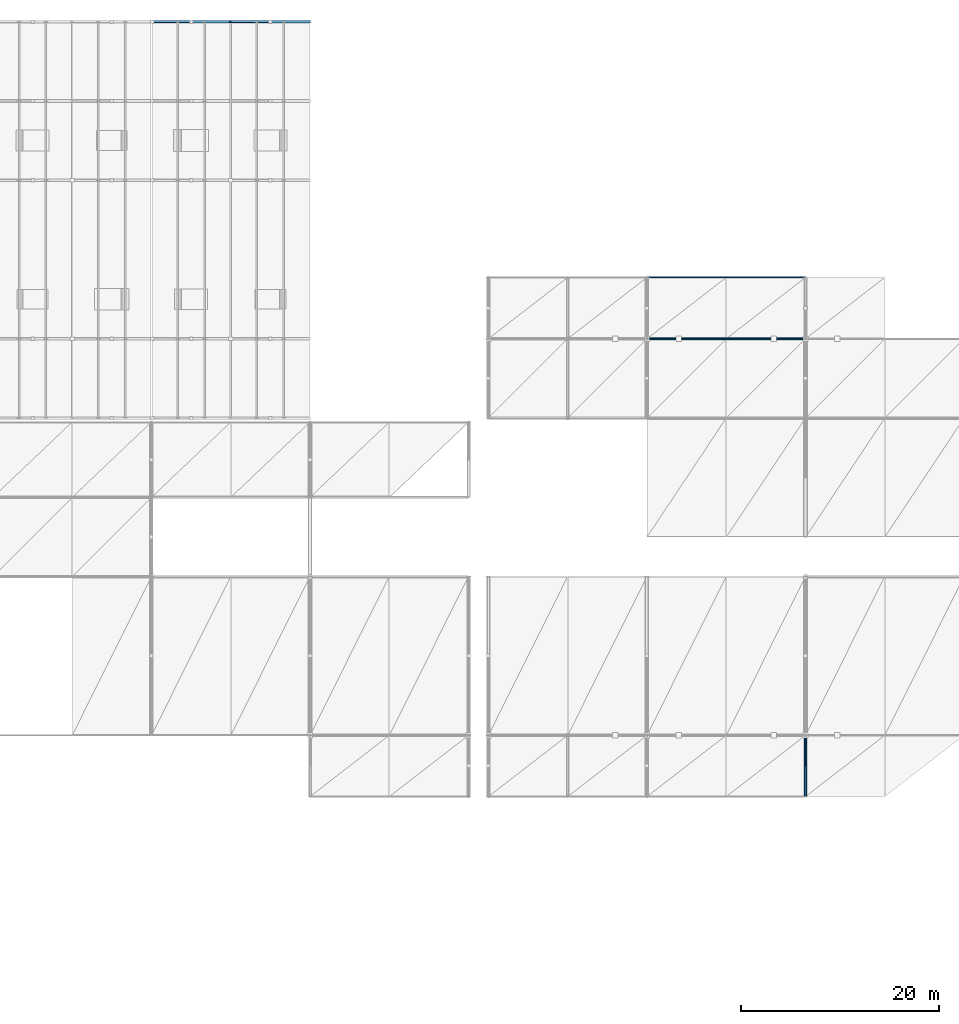
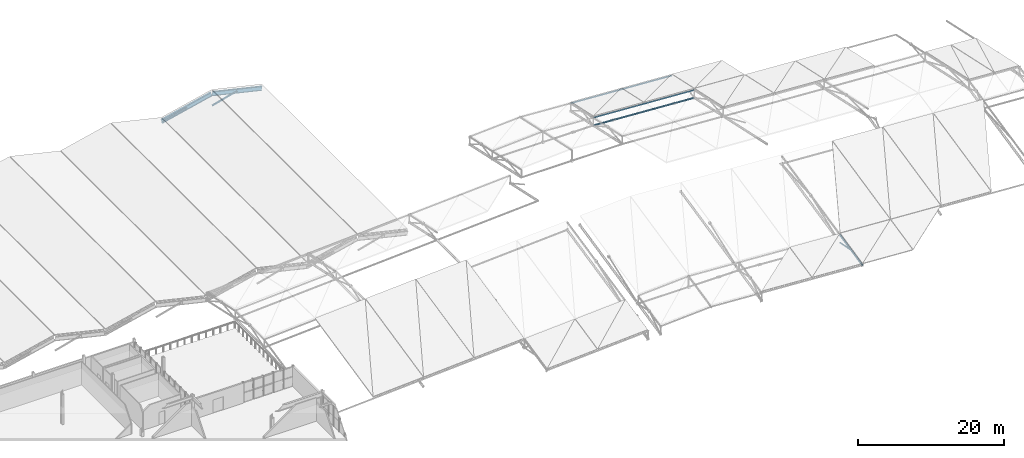
# One storey, part 26 of 67: 6 members, 3 beams.
"""IFC4 building model written with IfcOpenShell, lengths in metres."""

import ifcopenshell
import ifcopenshell.guid

model = None  # the IFC model being written
_history = None  # IfcOwnerHistory: only IFC2X3 demands one
_inside = {}  # id of a spatial element -> (the spatial element, [elements in it])
_under = {}  # id of a project, library or spatial element -> (it, [spatial elements below it])
_declared = {}  # id of a project -> (the project, [libraries it declares])
_typed = {}  # id of a type object -> (the type object, [elements of that type])
_made_of = {}  # id of a material, layer set ... -> (it, [elements and type objects made of it])


def new_model(schema):
    """Start an empty IFC model of exactly this schema.

    Asked for "IFC4X3", IfcOpenShell would pick the latest addendum, in which some entities
    have other attributes; the version numbers below select the first issue.
    IFC2X3 requires an IfcOwnerHistory on every rooted entity: one is made here for all.
    """
    global model, _history
    if schema == "IFC4X3":
        model = ifcopenshell.file(schema_version=(4, 3, 0, 0))
    else:
        model = ifcopenshell.file(schema=schema)
    _inside.clear()
    _under.clear()
    _declared.clear()
    _typed.clear()
    _made_of.clear()
    _history = None
    if model.schema == "IFC2X3":
        org = make("IfcOrganization", Name="unknown")
        user = make(
            "IfcPersonAndOrganization",
            ThePerson=make("IfcPerson", FamilyName="unknown"),
            TheOrganization=org,
        )
        app = make(
            "IfcApplication",
            ApplicationDeveloper=org,
            Version="unknown",
            ApplicationFullName="unknown",
            ApplicationIdentifier="unknown",
        )
        _history = make(
            "IfcOwnerHistory",
            OwningUser=user,
            OwningApplication=app,
            ChangeAction="ADDED",
            CreationDate=0,
        )
    return model


def make(cls, **values):
    """One entity of the class cls with the attributes given. An attribute that is None is left unset."""
    return model.create_entity(
        cls, **{name: value for name, value in values.items() if value is not None}
    )


def rooted(cls, **values):
    """An entity with a GlobalId (a new one), such as an element, a storey or a relation."""
    return make(cls, GlobalId=ifcopenshell.guid.new(), OwnerHistory=_history, **values)


def si_unit(unit_type, name, prefix=None):
    """IfcSIUnit, for example si_unit("LENGTHUNIT", "METRE", prefix="MILLI")."""
    return make("IfcSIUnit", UnitType=unit_type, Prefix=prefix, Name=name)


def assignment(units):
    """IfcUnitAssignment: the units of a project."""
    return None if units is None else make("IfcUnitAssignment", Units=units)


def point(xyz):
    """IfcCartesianPoint."""
    return None if xyz is None else make("IfcCartesianPoint", Coordinates=xyz)


def direction(xyz):
    """IfcDirection."""
    return None if xyz is None else make("IfcDirection", DirectionRatios=xyz)


def frame(location, z_axis=None, x_axis=None):
    """IfcAxis2Placement3D, a coordinate frame: its origin and axes. An axis left out is left unset."""
    return make(
        "IfcAxis2Placement3D",
        Location=point(location),
        Axis=direction(z_axis),
        RefDirection=direction(x_axis),
    )


def frame_2d(location, x_axis=None):
    """IfcAxis2Placement2D, a coordinate frame in the plane: its origin and x axis."""
    return make(
        "IfcAxis2Placement2D", Location=point(location), RefDirection=direction(x_axis)
    )


def origin():
    """The frame at (0, 0, 0) with its axes left unset."""
    return frame((0.0, 0.0, 0.0))


def origin_2d():
    """The frame at (0, 0) in the plane with its x axis left unset."""
    return frame_2d((0.0, 0.0))


def place(relative_to, where):
    """IfcLocalPlacement: puts the frame where relative to a parent placement (None: the world)."""
    return make(
        "IfcLocalPlacement", PlacementRelTo=relative_to, RelativePlacement=where
    )


def context(
    kind, dimensions, precision=None, world=None, true_north=None, identifier=None
):
    """IfcGeometricRepresentationContext, for example the 3D "Model" context."""
    return make(
        "IfcGeometricRepresentationContext",
        ContextIdentifier=identifier,
        ContextType=kind,
        CoordinateSpaceDimension=dimensions,
        Precision=precision,
        WorldCoordinateSystem=world,
        TrueNorth=true_north,
    )


def subcontext(parent, identifier, kind, view, scale=None):
    """IfcGeometricRepresentationSubContext, for example "Body" below "Model"."""
    return make(
        "IfcGeometricRepresentationSubContext",
        ContextIdentifier=identifier,
        ContextType=kind,
        ParentContext=parent,
        TargetScale=scale,
        TargetView=view,
    )


def project(units=None, contexts=None):
    """IfcProject with its units and contexts."""
    return rooted(
        "IfcProject",
        Name="project",
        RepresentationContexts=contexts,
        UnitsInContext=assignment(units),
    )


def spatial(cls, under=None, at=None, **own):
    """A site, building, storey or space (cls), placed at a placement, below another one or the project."""
    s = rooted(cls, ObjectPlacement=at, **own)
    if under is not None:
        _under.setdefault(under.id(), (under, []))[1].append(s)
    return s


def profile(cls, at=None, kind="AREA", **sizes):
    """A parametric profile (cls). Its sizes go by their IFC names, for example OverallWidth=200.0."""
    return make(cls, ProfileType=kind, Position=at, **sizes)


def hollow_rectangle(**sizes):
    """IfcRectangleHollowProfileDef."""
    return profile("IfcRectangleHollowProfileDef", **sizes)


def hollow_circle(**sizes):
    """IfcCircleHollowProfileDef."""
    return profile("IfcCircleHollowProfileDef", **sizes)


def i_section(**sizes):
    """IfcIShapeProfileDef."""
    return profile("IfcIShapeProfileDef", **sizes)


def extrude(swept, where, along, depth):
    """IfcExtrudedAreaSolid: the profile swept, set in the frame where, extruded along a direction by depth."""
    return make(
        "IfcExtrudedAreaSolid",
        SweptArea=swept,
        Position=where,
        ExtrudedDirection=direction(along),
        Depth=depth,
    )


def shape(context_of_items, identifier, shape_type, items):
    """IfcShapeRepresentation: the items that make up one representation, for example the "Body"."""
    return make(
        "IfcShapeRepresentation",
        ContextOfItems=context_of_items,
        RepresentationIdentifier=identifier,
        RepresentationType=shape_type,
        Items=items,
    )


def material(Name=None, Category=None):
    """IfcMaterial."""
    return make("IfcMaterial", Name=Name, Category=Category)


def material_profile(
    of_material, cross_section, Name=None, Category=None, Priority=None
):
    """IfcMaterialProfile: a cross section and its material."""
    return make(
        "IfcMaterialProfile",
        Name=Name,
        Material=of_material,
        Profile=cross_section,
        Priority=Priority,
        Category=Category,
    )


def profile_set(profiles, Name=None, composite=None):
    """IfcMaterialProfileSet."""
    return make(
        "IfcMaterialProfileSet",
        Name=Name,
        MaterialProfiles=profiles,
        CompositeProfile=composite,
    )


def made_of(thing, what):
    """Note that an element or type object is made of a material, layer set ...; save() writes the relation."""
    if what is not None:
        _made_of.setdefault(what.id(), (what, []))[1].append(thing)
    return thing


def type_object(cls, material=None, **own):
    """A type object (cls), such as IfcWallType, which elements share."""
    return made_of(rooted(cls, **own), material)


def element(
    cls,
    number,
    at=None,
    inside=None,
    cuts=None,
    type_object=None,
    material=None,
    context=None,
    identifier="Body",
    shape_type=None,
    held_by="IfcProductDefinitionShape",
    body=None,
    shapes=None,
    **own,
):
    """One element of the class cls, such as IfcWall. Its Tag is "e" and its number.

    at: its placement. inside: the storey or other place that contains it. cuts: it is an
    opening in that element (IfcRelVoidsElement). A single representation is given by context,
    identifier, shape_type and body (its items); several are given by shapes. held_by: the class
    of the entity that holds the representations. save() writes the other relations.
    """
    e = rooted(cls, Tag="e%d" % number, ObjectPlacement=at, **own)
    if body is not None:
        shapes = [shape(context, identifier, shape_type, body)]
    if shapes is not None:
        e.Representation = make(held_by, Representations=shapes)
    if inside is not None:
        _inside.setdefault(inside.id(), (inside, []))[1].append(e)
    if cuts is not None:
        rooted(
            "IfcRelVoidsElement", RelatingBuildingElement=cuts, RelatedOpeningElement=e
        )
    if type_object is not None:
        _typed.setdefault(type_object.id(), (type_object, []))[1].append(e)
    return made_of(e, material)


def aggregate(whole, parts):
    """IfcRelAggregates: a whole, such as a stair, and the parts it consists of."""
    return rooted("IfcRelAggregates", RelatingObject=whole, RelatedObjects=parts)


def save(model, path):
    """Write the relations noted so far, then the file.

    IfcRelAggregates (storeys below a building ...), IfcRelContainedInSpatialStructure (elements
    in a storey), IfcRelDefinesByType, IfcRelAssociatesMaterial and IfcRelDeclares: one each for
    every whole, place, type object, material and project.
    """
    for whole, parts in _under.values():
        aggregate(whole, parts)
    for where, things in _inside.values():
        rooted(
            "IfcRelContainedInSpatialStructure",
            RelatedElements=things,
            RelatingStructure=where,
        )
    for kind, things in _typed.values():
        rooted("IfcRelDefinesByType", RelatedObjects=things, RelatingType=kind)
    for what, things in _made_of.values():
        rooted("IfcRelAssociatesMaterial", RelatedObjects=things, RelatingMaterial=what)
    for by, libraries in _declared.values():
        rooted("IfcRelDeclares", RelatingContext=by, RelatedDefinitions=libraries)
    model.write(path)


model = new_model("IFC4")

# Units and contexts
model_context = context("Model", 3, precision=1e-05, world=origin(), true_north=direction((0.0, 1.0)))
body_context = subcontext(model_context, "Body", "Model", "MODEL_VIEW")
ifc_project = project(units=[si_unit("LENGTHUNIT", "METRE"), si_unit("AREAUNIT", "SQUARE_METRE"), si_unit("VOLUMEUNIT", "CUBIC_METRE"), si_unit("PLANEANGLEUNIT", "RADIAN"), si_unit("MASSUNIT", "GRAM", prefix="KILO")], contexts=[model_context])

# Site, building, storey
site_placement = place(None, origin())
site = spatial("IfcSite", under=ifc_project, at=site_placement, CompositionType="ELEMENT")
building_placement = place(site_placement, origin())
building = spatial("IfcBuilding", under=site, at=building_placement, Name="Drelvath Fold Interchange", CompositionType="ELEMENT")
storey_placement = place(building_placement, frame((0.0, 0.0, 15.60009765625)))
storey = spatial("IfcBuildingStorey", under=building, at=storey_placement, Name="L03", CompositionType="ELEMENT", Elevation=15.60009765625)

# Beams
ifc_material_1 = material(Name="Steel ASTM A992 Grade 50", Category="steel")
ifc_material_profile_1 = material_profile(ifc_material_1, i_section(OverallWidth=0.256103515625, OverallDepth=0.693115234375, WebThickness=0.014404296875, FlangeThickness=0.023681640625, at=origin_2d()), Name="W27X114")
ifc_profile_set_1 = profile_set([ifc_material_profile_1], Name="Steel ASTM A992 Grade 50")
beam_type_1 = type_object("IfcBeamType", Name="BM-W27X114", PredefinedType="BEAM", material=ifc_profile_set_1)
for number, where, z_axis, x_axis, name in (
    (1, (68.050048828125, 99.0, -0.10009765625), (0.973655780122, 0.0, 0.228022853754), (0.0, 1.0, 0.0), "Folded-plate roof truss rafter"),
    (2, (76.050048828125, 99.0, 1.75), (0.973655780122, 0.0, -0.228022853754), (0.0, 1.0, 0.0), "Folded-plate roof truss rafter"),
):
    element("IfcBeam", number, at=place(storey_placement, frame(where, z_axis=z_axis, x_axis=x_axis)), inside=storey, type_object=beam_type_1, Name=name, PredefinedType="BEAM", context=body_context, shape_type="SweptSolid", body=[
        extrude(i_section(OverallWidth=0.256103515625, OverallDepth=0.693115234375, WebThickness=0.014404296875, FlangeThickness=0.023681640625, at=origin_2d()), origin(), (0.0, 0.0, 1.0), 8.11376953125),
    ])

# Members
ifc_material_2 = material(Name="Steel ASTM A500 Grade C", Category="steel")
ifc_material_profile_2 = material_profile(ifc_material_2, hollow_rectangle(XDim=0.202880859375, YDim=0.202880859375, WallThickness=0.0087890625, at=origin_2d()), Name="HSS8X8X3/8")
ifc_profile_set_2 = profile_set([ifc_material_profile_2], Name="Steel ASTM A500 Grade C")
member_type_1 = type_object("IfcMemberType", Name="FP-WEB203", PredefinedType="BRACE", material=ifc_profile_set_2)
for number, where, z_axis, x_axis, name in (
    (3, (68.080078125, 99.0, -0.25), (0.964395563634, 0.0, 0.264463980237), (0.0, 1.0, 0.0), "L03 Folded-plate roof truss web brace FP-WEB203"),
    (4, (76.080078125, 99.0, -0.25), (0.964395563634, 0.0, 0.264463980237), (0.0, 1.0, 0.0), "L03 Folded-plate roof truss web brace FP-WEB203"),
):
    element("IfcMember", number, at=place(storey_placement, frame(where, z_axis=z_axis, x_axis=x_axis)), inside=storey, type_object=member_type_1, Name=name, PredefinedType="BRACE", context=body_context, shape_type="SweptSolid", body=[
        extrude(hollow_rectangle(XDim=0.202880859375, YDim=0.202880859375, WallThickness=0.0087890625, at=origin_2d()), origin(), (0.0, 0.0, 1.0), 4.064697265625),
    ])
ifc_material_profile_3 = material_profile(ifc_material_2, hollow_rectangle(XDim=0.10205078125, YDim=0.202880859375, WallThickness=0.00732421875, at=origin_2d()), Name="HSS8X4X5/16")
ifc_profile_set_3 = profile_set([ifc_material_profile_3], Name="Steel ASTM A500 Grade C")
member_type_2 = type_object("IfcMemberType", Name="PR-HSS203", PredefinedType="PURLIN", material=ifc_profile_set_3)
for number, where, z_axis, x_axis, name in (
    (5, (118.0, 67.0, 2.43896484375), (0.998196786761, 0.0, -0.06002645167), (0.0, 1.0, 0.0), "L03 Space frame canopy purlin PR-HSS203"),
    (6, (118.0, 73.199951171875, 1.0869140625), (0.998197699277, 0.0, -0.060011275256), (0.0, 1.0, 0.0), "L03 Space frame canopy purlin PR-HSS203"),
):
    element("IfcMember", number, at=place(storey_placement, frame(where, z_axis=z_axis, x_axis=x_axis)), inside=storey, type_object=member_type_2, Name=name, PredefinedType="PURLIN", context=body_context, shape_type="SweptSolid", body=[
        extrude(hollow_rectangle(XDim=0.10205078125, YDim=0.202880859375, WallThickness=0.00732421875, at=origin_2d()), origin(), (0.0, 0.0, 1.0), 16.02880859375),
    ])
ifc_material_profile_4 = material_profile(ifc_material_2, hollow_circle(Radius=0.136474609375, WallThickness=0.01171875, at=origin_2d()), Name="HSS10.750X0.500")
ifc_profile_set_4 = profile_set([ifc_material_profile_4], Name="Steel ASTM A500 Grade C")
member_type_3 = type_object("IfcMemberType", Name="SF-CHD273", PredefinedType="CHORD", material=ifc_profile_set_4)
member_1_placement = place(storey_placement, frame((134.0, 20.800048828125, 0.093017578125), z_axis=(0.0, 0.977045617988, 0.213030186525), x_axis=(-1.0, 0.0, 0.0)))
element("IfcMember", 7, at=member_1_placement, inside=storey, type_object=member_type_3, Name="L03 Space frame roof truss upper chord SF-CHD273", PredefinedType="CHORD", context=body_context, shape_type="SweptSolid", body=[
    extrude(hollow_circle(Radius=0.136474609375, WallThickness=0.01171875, at=origin_2d()), origin(), (0.0, 0.0, 1.0), 6.345703125),
])

# Beam
ifc_material_profile_5 = material_profile(ifc_material_2, hollow_circle(Radius=0.136474609375, WallThickness=0.01171875, at=origin_2d()), Name="HSS10.750X0.500")
ifc_profile_set_5 = profile_set([ifc_material_profile_5], Name="Steel ASTM A500 Grade C")
beam_type_2 = type_object("IfcBeamType", Name="SF-TIE273", PredefinedType="BEAM", material=ifc_profile_set_5)
beam_placement = place(storey_placement, frame((118.050048828125, 67.0, 1.136962890625), z_axis=(0.998174073419, 0.0, -0.060402973058), x_axis=(0.0, 1.0, 0.0)))
element("IfcBeam", 8, at=beam_placement, inside=storey, type_object=beam_type_2, Name="Space frame roof truss longitudinal tie EAST", PredefinedType="BEAM", context=body_context, shape_type="SweptSolid", body=[
    extrude(hollow_circle(Radius=0.136474609375, WallThickness=0.01171875, at=origin_2d()), origin(), (0.0, 0.0, 1.0), 15.928955078125),
])

# Member
ifc_material_profile_6 = material_profile(ifc_material_2, hollow_circle(Radius=0.109619140625, WallThickness=0.0087890625, at=origin_2d()), Name="HSS8.625X0.375")
ifc_profile_set_6 = profile_set([ifc_material_profile_6], Name="Steel ASTM A500 Grade C")
member_type_4 = type_object("IfcMemberType", Name="SF-WEB219", PredefinedType="BRACE", material=ifc_profile_set_6)
member_2_placement = place(storey_placement, frame((134.0, 23.89990234375, 0.768798828125), z_axis=(0.0, 0.982134211284, -0.188181803123), x_axis=(-1.0, 0.0, 0.0)))
element("IfcMember", 9, at=member_2_placement, inside=storey, type_object=member_type_4, Name="L03 Space frame roof truss web brace SF-WEB219", PredefinedType="BRACE", context=body_context, shape_type="SweptSolid", body=[
    extrude(hollow_circle(Radius=0.109619140625, WallThickness=0.0087890625, at=origin_2d()), origin(), (0.0, 0.0, 1.0), 3.156494140625),
])

save(model, "model.ifc")
